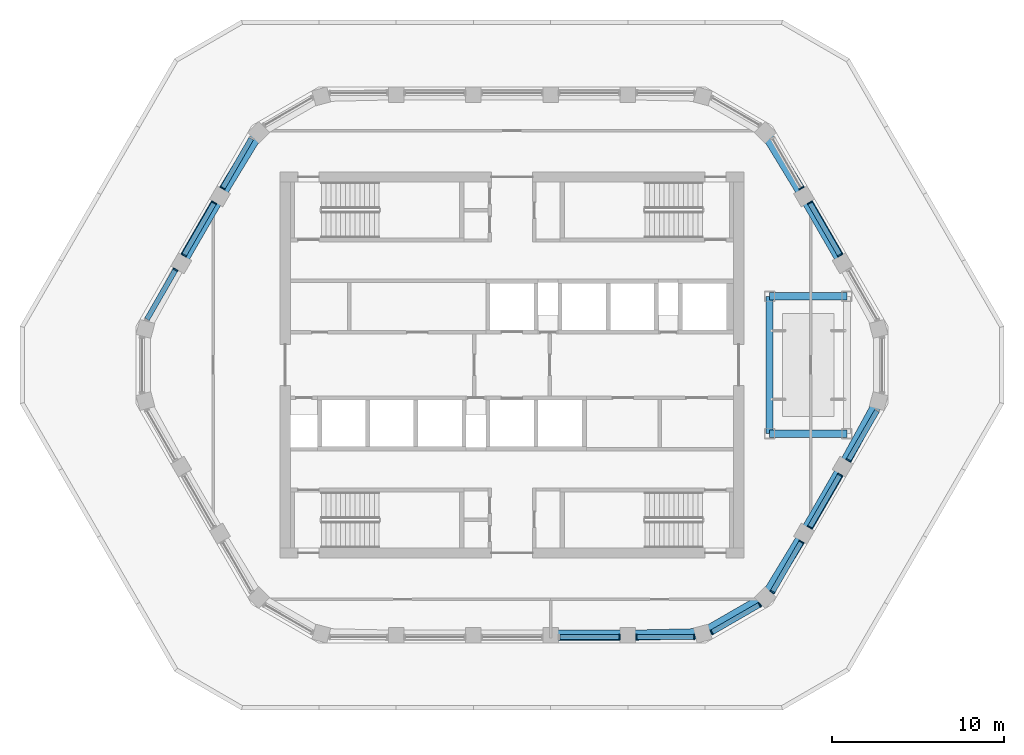
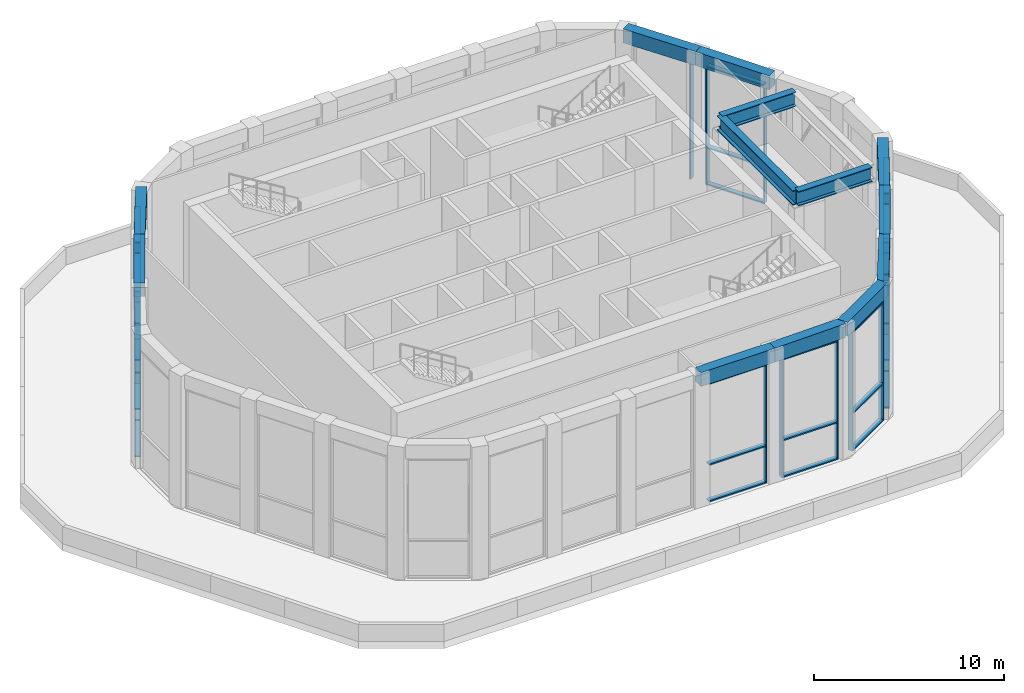
# One storey, part 2 of 11: 47 members, 13 beams, 11 elements without a shape of their own.
"""IFC4 building model written with IfcOpenShell, lengths in metres."""

import ifcopenshell
import ifcopenshell.guid

model = None  # the IFC model being written
_history = None  # IfcOwnerHistory: only IFC2X3 demands one
_inside = {}  # id of a spatial element -> (the spatial element, [elements in it])
_under = {}  # id of a project, library or spatial element -> (it, [spatial elements below it])
_declared = {}  # id of a project -> (the project, [libraries it declares])
_typed = {}  # id of a type object -> (the type object, [elements of that type])
_made_of = {}  # id of a material, layer set ... -> (it, [elements and type objects made of it])


def new_model(schema):
    """Start an empty IFC model of exactly this schema.

    Asked for "IFC4X3", IfcOpenShell would pick the latest addendum, in which some entities
    have other attributes; the version numbers below select the first issue.
    IFC2X3 requires an IfcOwnerHistory on every rooted entity: one is made here for all.
    """
    global model, _history
    if schema == "IFC4X3":
        model = ifcopenshell.file(schema_version=(4, 3, 0, 0))
    else:
        model = ifcopenshell.file(schema=schema)
    _inside.clear()
    _under.clear()
    _declared.clear()
    _typed.clear()
    _made_of.clear()
    _history = None
    if model.schema == "IFC2X3":
        org = make("IfcOrganization", Name="unknown")
        user = make(
            "IfcPersonAndOrganization",
            ThePerson=make("IfcPerson", FamilyName="unknown"),
            TheOrganization=org,
        )
        app = make(
            "IfcApplication",
            ApplicationDeveloper=org,
            Version="unknown",
            ApplicationFullName="unknown",
            ApplicationIdentifier="unknown",
        )
        _history = make(
            "IfcOwnerHistory",
            OwningUser=user,
            OwningApplication=app,
            ChangeAction="ADDED",
            CreationDate=0,
        )
    return model


def make(cls, **values):
    """One entity of the class cls with the attributes given. An attribute that is None is left unset."""
    return model.create_entity(
        cls, **{name: value for name, value in values.items() if value is not None}
    )


def rooted(cls, **values):
    """An entity with a GlobalId (a new one), such as an element, a storey or a relation."""
    return make(cls, GlobalId=ifcopenshell.guid.new(), OwnerHistory=_history, **values)


def si_unit(unit_type, name, prefix=None):
    """IfcSIUnit, for example si_unit("LENGTHUNIT", "METRE", prefix="MILLI")."""
    return make("IfcSIUnit", UnitType=unit_type, Prefix=prefix, Name=name)


def assignment(units):
    """IfcUnitAssignment: the units of a project."""
    return None if units is None else make("IfcUnitAssignment", Units=units)


def point(xyz):
    """IfcCartesianPoint."""
    return None if xyz is None else make("IfcCartesianPoint", Coordinates=xyz)


def direction(xyz):
    """IfcDirection."""
    return None if xyz is None else make("IfcDirection", DirectionRatios=xyz)


def frame(location, z_axis=None, x_axis=None):
    """IfcAxis2Placement3D, a coordinate frame: its origin and axes. An axis left out is left unset."""
    return make(
        "IfcAxis2Placement3D",
        Location=point(location),
        Axis=direction(z_axis),
        RefDirection=direction(x_axis),
    )


def frame_2d(location, x_axis=None):
    """IfcAxis2Placement2D, a coordinate frame in the plane: its origin and x axis."""
    return make(
        "IfcAxis2Placement2D", Location=point(location), RefDirection=direction(x_axis)
    )


def origin():
    """The frame at (0, 0, 0) with its axes left unset."""
    return frame((0.0, 0.0, 0.0))


def origin_2d():
    """The frame at (0, 0) in the plane with its x axis left unset."""
    return frame_2d((0.0, 0.0))


def place(relative_to, where):
    """IfcLocalPlacement: puts the frame where relative to a parent placement (None: the world)."""
    return make(
        "IfcLocalPlacement", PlacementRelTo=relative_to, RelativePlacement=where
    )


def context(
    kind, dimensions, precision=None, world=None, true_north=None, identifier=None
):
    """IfcGeometricRepresentationContext, for example the 3D "Model" context."""
    return make(
        "IfcGeometricRepresentationContext",
        ContextIdentifier=identifier,
        ContextType=kind,
        CoordinateSpaceDimension=dimensions,
        Precision=precision,
        WorldCoordinateSystem=world,
        TrueNorth=true_north,
    )


def subcontext(parent, identifier, kind, view, scale=None):
    """IfcGeometricRepresentationSubContext, for example "Body" below "Model"."""
    return make(
        "IfcGeometricRepresentationSubContext",
        ContextIdentifier=identifier,
        ContextType=kind,
        ParentContext=parent,
        TargetScale=scale,
        TargetView=view,
    )


def project(units=None, contexts=None):
    """IfcProject with its units and contexts."""
    return rooted(
        "IfcProject",
        Name="project",
        RepresentationContexts=contexts,
        UnitsInContext=assignment(units),
    )


def spatial(cls, under=None, at=None, **own):
    """A site, building, storey or space (cls), placed at a placement, below another one or the project."""
    s = rooted(cls, ObjectPlacement=at, **own)
    if under is not None:
        _under.setdefault(under.id(), (under, []))[1].append(s)
    return s


def profile(cls, at=None, kind="AREA", **sizes):
    """A parametric profile (cls). Its sizes go by their IFC names, for example OverallWidth=200.0."""
    return make(cls, ProfileType=kind, Position=at, **sizes)


def rectangle(**sizes):
    """IfcRectangleProfileDef."""
    return profile("IfcRectangleProfileDef", **sizes)


def i_section(**sizes):
    """IfcIShapeProfileDef."""
    return profile("IfcIShapeProfileDef", **sizes)


def extrude(swept, where, along, depth):
    """IfcExtrudedAreaSolid: the profile swept, set in the frame where, extruded along a direction by depth."""
    return make(
        "IfcExtrudedAreaSolid",
        SweptArea=swept,
        Position=where,
        ExtrudedDirection=direction(along),
        Depth=depth,
    )


def shape(context_of_items, identifier, shape_type, items):
    """IfcShapeRepresentation: the items that make up one representation, for example the "Body"."""
    return make(
        "IfcShapeRepresentation",
        ContextOfItems=context_of_items,
        RepresentationIdentifier=identifier,
        RepresentationType=shape_type,
        Items=items,
    )


def material(Name=None, Category=None):
    """IfcMaterial."""
    return make("IfcMaterial", Name=Name, Category=Category)


def layer(
    of_material, thickness, ventilated=None, Name=None, Category=None, Priority=None
):
    """IfcMaterialLayer: one layer of a wall or slab, of a material (None: an air gap)."""
    return make(
        "IfcMaterialLayer",
        Material=of_material,
        LayerThickness=thickness,
        IsVentilated=ventilated,
        Name=Name,
        Category=Category,
        Priority=Priority,
    )


def layer_set(layers, Name=None):
    """IfcMaterialLayerSet."""
    return make("IfcMaterialLayerSet", MaterialLayers=layers, LayerSetName=Name)


def material_profile(
    of_material, cross_section, Name=None, Category=None, Priority=None
):
    """IfcMaterialProfile: a cross section and its material."""
    return make(
        "IfcMaterialProfile",
        Name=Name,
        Material=of_material,
        Profile=cross_section,
        Priority=Priority,
        Category=Category,
    )


def profile_set(profiles, Name=None, composite=None):
    """IfcMaterialProfileSet."""
    return make(
        "IfcMaterialProfileSet",
        Name=Name,
        MaterialProfiles=profiles,
        CompositeProfile=composite,
    )


def made_of(thing, what):
    """Note that an element or type object is made of a material, layer set ...; save() writes the relation."""
    if what is not None:
        _made_of.setdefault(what.id(), (what, []))[1].append(thing)
    return thing


def type_object(cls, material=None, **own):
    """A type object (cls), such as IfcWallType, which elements share."""
    return made_of(rooted(cls, **own), material)


def element(
    cls,
    number,
    at=None,
    inside=None,
    cuts=None,
    type_object=None,
    material=None,
    context=None,
    identifier="Body",
    shape_type=None,
    held_by="IfcProductDefinitionShape",
    body=None,
    shapes=None,
    **own,
):
    """One element of the class cls, such as IfcWall. Its Tag is "e" and its number.

    at: its placement. inside: the storey or other place that contains it. cuts: it is an
    opening in that element (IfcRelVoidsElement). A single representation is given by context,
    identifier, shape_type and body (its items); several are given by shapes. held_by: the class
    of the entity that holds the representations. save() writes the other relations.
    """
    e = rooted(cls, Tag="e%d" % number, ObjectPlacement=at, **own)
    if body is not None:
        shapes = [shape(context, identifier, shape_type, body)]
    if shapes is not None:
        e.Representation = make(held_by, Representations=shapes)
    if inside is not None:
        _inside.setdefault(inside.id(), (inside, []))[1].append(e)
    if cuts is not None:
        rooted(
            "IfcRelVoidsElement", RelatingBuildingElement=cuts, RelatedOpeningElement=e
        )
    if type_object is not None:
        _typed.setdefault(type_object.id(), (type_object, []))[1].append(e)
    return made_of(e, material)


def aggregate(whole, parts):
    """IfcRelAggregates: a whole, such as a stair, and the parts it consists of."""
    return rooted("IfcRelAggregates", RelatingObject=whole, RelatedObjects=parts)


def save(model, path):
    """Write the relations noted so far, then the file.

    IfcRelAggregates (storeys below a building ...), IfcRelContainedInSpatialStructure (elements
    in a storey), IfcRelDefinesByType, IfcRelAssociatesMaterial and IfcRelDeclares: one each for
    every whole, place, type object, material and project.
    """
    for whole, parts in _under.values():
        aggregate(whole, parts)
    for where, things in _inside.values():
        rooted(
            "IfcRelContainedInSpatialStructure",
            RelatedElements=things,
            RelatingStructure=where,
        )
    for kind, things in _typed.values():
        rooted("IfcRelDefinesByType", RelatedObjects=things, RelatingType=kind)
    for what, things in _made_of.values():
        rooted("IfcRelAssociatesMaterial", RelatedObjects=things, RelatingMaterial=what)
    for by, libraries in _declared.values():
        rooted("IfcRelDeclares", RelatingContext=by, RelatedDefinitions=libraries)
    model.write(path)


model = new_model("IFC4")

# Units and contexts
model_context = context("Model", 3, precision=1e-05, world=origin(), true_north=direction((0.0, 1.0)))
body_context = subcontext(model_context, "Body", "Model", "MODEL_VIEW")
ifc_project = project(units=[si_unit("LENGTHUNIT", "METRE"), si_unit("AREAUNIT", "SQUARE_METRE"), si_unit("VOLUMEUNIT", "CUBIC_METRE"), si_unit("PLANEANGLEUNIT", "RADIAN"), si_unit("MASSUNIT", "GRAM", prefix="KILO")], contexts=[model_context])

# Site, building, storey
site_placement = place(None, origin())
site = spatial("IfcSite", under=ifc_project, at=site_placement, CompositionType="ELEMENT")
building_placement = place(site_placement, origin())
building = spatial("IfcBuilding", under=site, at=building_placement, Name="Dhurran Vertical Campus", CompositionType="ELEMENT")
storey_placement = place(building_placement, frame((0.0, 0.0, 309.89990234375)))
storey = spatial("IfcBuildingStorey", under=building, at=storey_placement, Name="L77 Damper Plant", CompositionType="ELEMENT", Elevation=309.89990234375)

# Curtain wall, member
ifc_material_1 = material(Name="Aluminium frame with solar-control glass", Category="aluminium")
ifc_layer = layer(ifc_material_1, 0.300048828125)
ifc_layer_set = layer_set([ifc_layer], Name="Aluminium frame with solar-control glass")
curtain_wall_type = type_object("IfcCurtainWallType", Name="Damper floor glazing system", PredefinedType="NOTDEFINED", material=ifc_layer_set)
curtain_wall_1_placement = place(storey_placement, origin())
curtain_wall_1 = element("IfcCurtainWall", 1, at=curtain_wall_1_placement, inside=storey, type_object=curtain_wall_type, Name="CW4 L77.03", PredefinedType="NOTDEFINED")
ifc_material_2 = material(Name="Aluminium mullion", Category="aluminium")
ifc_material_profile_1 = material_profile(ifc_material_2, rectangle(XDim=0.300048828125, YDim=0.080078125, at=origin_2d()), Name="Damper floor glazing system mullion")
ifc_profile_set_1 = profile_set([ifc_material_profile_1], Name="Aluminium mullion")
member_type_1 = type_object("IfcMemberType", Name="Damper floor glazing system mullion", PredefinedType="MULLION", material=ifc_profile_set_1)
member_1_placement = place(storey_placement, frame((6.259521484375, -15.84130859375, 0.0), z_axis=(0.0, 0.0, 1.0), x_axis=(0.0, 1.0, 0.0)))
member_1 = element("IfcMember", 2, at=member_1_placement, type_object=member_type_1, Name="CW4 mullion 2", PredefinedType="MULLION", context=body_context, shape_type="SweptSolid", body=[
    extrude(rectangle(XDim=0.300048828125, YDim=0.080078125, at=origin_2d()), origin(), (0.0, 0.0, 1.0), 7.650146484375),
])

# Curtain wall, members
curtain_wall_2_placement = place(storey_placement, origin())
curtain_wall_2 = element("IfcCurtainWall", 3, at=curtain_wall_2_placement, inside=storey, type_object=curtain_wall_type, Name="CW4 L77.04", PredefinedType="NOTDEFINED")
member_2_placement = place(storey_placement, frame((7.240478515625, -15.84130859375, 0.0), z_axis=(0.0, 0.0, 1.0), x_axis=(0.0, 1.0, 0.0)))
member_2 = element("IfcMember", 4, at=member_2_placement, type_object=member_type_1, Name="CW4 mullion 1", PredefinedType="MULLION", context=body_context, shape_type="SweptSolid", body=[
    extrude(rectangle(XDim=0.300048828125, YDim=0.080078125, at=origin_2d()), origin(), (0.0, 0.0, 1.0), 7.650146484375),
])
member_3_placement = place(storey_placement, frame((10.60986328125, -15.84130859375, 0.0), z_axis=(0.0, 0.0, 1.0), x_axis=(0.0, 1.0, 0.0)))
member_3 = element("IfcMember", 5, at=member_3_placement, type_object=member_type_1, Name="CW4 mullion 2", PredefinedType="MULLION", context=body_context, shape_type="SweptSolid", body=[
    extrude(rectangle(XDim=0.300048828125, YDim=0.080078125, at=origin_2d()), origin(), (0.0, 0.0, 1.0), 7.650146484375),
])

curtain_wall_3_placement = place(storey_placement, origin())
curtain_wall_3 = element("IfcCurtainWall", 6, at=curtain_wall_3_placement, inside=storey, type_object=curtain_wall_type, Name="CW4 L77.05", PredefinedType="NOTDEFINED")
member_4_placement = place(storey_placement, frame((11.62939453125, -15.568115234375, 0.0), z_axis=(0.0, 0.0, 1.0), x_axis=(-0.500001394569, 0.866024598628, 0.0)))
member_4 = element("IfcMember", 7, at=member_4_placement, type_object=member_type_1, Name="CW4 mullion 1", PredefinedType="MULLION", context=body_context, shape_type="SweptSolid", body=[
    extrude(rectangle(XDim=0.300048828125, YDim=0.080078125, at=origin_2d()), origin(), (0.0, 0.0, 1.0), 7.650146484375),
])
member_5_placement = place(storey_placement, frame((14.417724609375, -13.958251953125, 0.0), z_axis=(0.0, 0.0, 1.0), x_axis=(-0.500001394569, 0.866024598628, 0.0)))
member_5 = element("IfcMember", 8, at=member_5_placement, type_object=member_type_1, Name="CW4 mullion 2", PredefinedType="MULLION", context=body_context, shape_type="SweptSolid", body=[
    extrude(rectangle(XDim=0.300048828125, YDim=0.080078125, at=origin_2d()), origin(), (0.0, 0.0, 1.0), 7.650146484375),
])

curtain_wall_4_placement = place(storey_placement, origin())
curtain_wall_4 = element("IfcCurtainWall", 9, at=curtain_wall_4_placement, inside=storey, type_object=curtain_wall_type, Name="CW4 L77.06", PredefinedType="NOTDEFINED")
member_6_placement = place(storey_placement, frame((15.1640625, -13.2119140625, 0.0), z_axis=(0.0, 0.0, 1.0), x_axis=(-0.866020473248, 0.500008539842, 0.0)))
member_6 = element("IfcMember", 10, at=member_6_placement, type_object=member_type_1, Name="CW4 mullion 1", PredefinedType="MULLION", context=body_context, shape_type="SweptSolid", body=[
    extrude(rectangle(XDim=0.300048828125, YDim=0.080078125, at=origin_2d()), origin(), (0.0, 0.0, 1.0), 7.650146484375),
])
member_7_placement = place(storey_placement, frame((16.848876953125, -10.2939453125, 0.0), z_axis=(0.0, 0.0, 1.0), x_axis=(-0.866020473248, 0.500008539842, 0.0)))
member_7 = element("IfcMember", 11, at=member_7_placement, type_object=member_type_1, Name="CW4 mullion 2", PredefinedType="MULLION", context=body_context, shape_type="SweptSolid", body=[
    extrude(rectangle(XDim=0.300048828125, YDim=0.080078125, at=origin_2d()), origin(), (0.0, 0.0, 1.0), 7.650146484375),
])

curtain_wall_5_placement = place(storey_placement, origin())
curtain_wall_5 = element("IfcCurtainWall", 12, at=curtain_wall_5_placement, inside=storey, type_object=curtain_wall_type, Name="CW4 L77.07", PredefinedType="NOTDEFINED")
member_8_placement = place(storey_placement, frame((17.33935546875, -9.444580078125, 0.0), z_axis=(0.0, 0.0, 1.0), x_axis=(-0.866023637427, 0.500003059408, 0.0)))
member_8 = element("IfcMember", 13, at=member_8_placement, type_object=member_type_1, Name="CW4 mullion 1", PredefinedType="MULLION", context=body_context, shape_type="SweptSolid", body=[
    extrude(rectangle(XDim=0.300048828125, YDim=0.080078125, at=origin_2d()), origin(), (0.0, 0.0, 1.0), 7.650146484375),
])
member_9_placement = place(storey_placement, frame((19.098876953125, -6.39697265625, 0.0), z_axis=(0.0, 0.0, 1.0), x_axis=(-0.866023637427, 0.500003059408, 0.0)))
member_9 = element("IfcMember", 14, at=member_9_placement, type_object=member_type_1, Name="CW4 mullion 2", PredefinedType="MULLION", context=body_context, shape_type="SweptSolid", body=[
    extrude(rectangle(XDim=0.300048828125, YDim=0.080078125, at=origin_2d()), origin(), (0.0, 0.0, 1.0), 7.650146484375),
])

# Curtain wall, member
curtain_wall_6_placement = place(storey_placement, origin())
curtain_wall_6 = element("IfcCurtainWall", 15, at=curtain_wall_6_placement, inside=storey, type_object=curtain_wall_type, Name="CW4 L77.08", PredefinedType="NOTDEFINED")
member_10_placement = place(storey_placement, frame((19.58935546875, -5.54736328125, 0.0), z_axis=(0.0, 0.0, 1.0), x_axis=(-0.866027720988, 0.499995986465, 0.0)))
member_10 = element("IfcMember", 16, at=member_10_placement, type_object=member_type_1, Name="CW4 mullion 1", PredefinedType="MULLION", context=body_context, shape_type="SweptSolid", body=[
    extrude(rectangle(XDim=0.300048828125, YDim=0.080078125, at=origin_2d()), origin(), (0.0, 0.0, 1.0), 7.650146484375),
])

# Curtain wall, members
curtain_wall_7_placement = place(storey_placement, origin())
curtain_wall_7 = element("IfcCurtainWall", 17, at=curtain_wall_7_placement, inside=storey, type_object=curtain_wall_type, Name="CW4 L77.11", PredefinedType="NOTDEFINED")
member_11_placement = place(storey_placement, frame((19.098876953125, 6.39697265625, 0.0), z_axis=(0.0, 0.0, 1.0), x_axis=(-0.866023637427, -0.500003059408, 0.0)))
member_11 = element("IfcMember", 18, at=member_11_placement, type_object=member_type_1, Name="CW4 mullion 1", PredefinedType="MULLION", context=body_context, shape_type="SweptSolid", body=[
    extrude(rectangle(XDim=0.300048828125, YDim=0.080078125, at=origin_2d()), origin(), (0.0, 0.0, 1.0), 7.650146484375),
])
member_12_placement = place(storey_placement, frame((17.33935546875, 9.444580078125, 0.0), z_axis=(0.0, 0.0, 1.0), x_axis=(-0.866023637427, -0.500003059408, 0.0)))
member_12 = element("IfcMember", 19, at=member_12_placement, type_object=member_type_1, Name="CW4 mullion 2", PredefinedType="MULLION", context=body_context, shape_type="SweptSolid", body=[
    extrude(rectangle(XDim=0.300048828125, YDim=0.080078125, at=origin_2d()), origin(), (0.0, 0.0, 1.0), 7.650146484375),
])

# Curtain wall, member
curtain_wall_8_placement = place(storey_placement, origin())
curtain_wall_8 = element("IfcCurtainWall", 20, at=curtain_wall_8_placement, inside=storey, type_object=curtain_wall_type, Name="CW4 L77.12", PredefinedType="NOTDEFINED")
member_13_placement = place(storey_placement, frame((16.848876953125, 10.2939453125, 0.0), z_axis=(0.0, 0.0, 1.0), x_axis=(-0.866020473248, -0.500008539842, 0.0)))
member_13 = element("IfcMember", 21, at=member_13_placement, type_object=member_type_1, Name="CW4 mullion 1", PredefinedType="MULLION", context=body_context, shape_type="SweptSolid", body=[
    extrude(rectangle(XDim=0.300048828125, YDim=0.080078125, at=origin_2d()), origin(), (0.0, 0.0, 1.0), 7.650146484375),
])
aggregate(curtain_wall_8, [member_13])

curtain_wall_9_placement = place(storey_placement, origin())
curtain_wall_9 = element("IfcCurtainWall", 22, at=curtain_wall_9_placement, inside=storey, type_object=curtain_wall_type, Name="CW4 L77.20", PredefinedType="NOTDEFINED")
member_14_placement = place(storey_placement, frame((-16.848876953125, 10.2939453125, 0.0), z_axis=(0.0, 0.0, 1.0), x_axis=(0.866020473248, -0.500008539842, 0.0)))
member_14 = element("IfcMember", 23, at=member_14_placement, type_object=member_type_1, Name="CW4 mullion 2", PredefinedType="MULLION", context=body_context, shape_type="SweptSolid", body=[
    extrude(rectangle(XDim=0.300048828125, YDim=0.080078125, at=origin_2d()), origin(), (0.0, 0.0, 1.0), 7.650146484375),
])

# Curtain wall, members
curtain_wall_10_placement = place(storey_placement, origin())
curtain_wall_10 = element("IfcCurtainWall", 24, at=curtain_wall_10_placement, inside=storey, type_object=curtain_wall_type, Name="CW4 L77.21", PredefinedType="NOTDEFINED")
member_15_placement = place(storey_placement, frame((-17.33935546875, 9.444580078125, 0.0), z_axis=(0.0, 0.0, 1.0), x_axis=(0.866023637427, -0.500003059408, 0.0)))
member_15 = element("IfcMember", 25, at=member_15_placement, type_object=member_type_1, Name="CW4 mullion 1", PredefinedType="MULLION", context=body_context, shape_type="SweptSolid", body=[
    extrude(rectangle(XDim=0.300048828125, YDim=0.080078125, at=origin_2d()), origin(), (0.0, 0.0, 1.0), 7.650146484375),
])
member_16_placement = place(storey_placement, frame((-19.098876953125, 6.39697265625, 0.0), z_axis=(0.0, 0.0, 1.0), x_axis=(0.866023637427, -0.500003059408, 0.0)))
member_16 = element("IfcMember", 26, at=member_16_placement, type_object=member_type_1, Name="CW4 mullion 2", PredefinedType="MULLION", context=body_context, shape_type="SweptSolid", body=[
    extrude(rectangle(XDim=0.300048828125, YDim=0.080078125, at=origin_2d()), origin(), (0.0, 0.0, 1.0), 7.650146484375),
])

# Curtain wall, member
curtain_wall_11_placement = place(storey_placement, origin())
curtain_wall_11 = element("IfcCurtainWall", 27, at=curtain_wall_11_placement, inside=storey, type_object=curtain_wall_type, Name="CW4 L77.22", PredefinedType="NOTDEFINED")
member_17_placement = place(storey_placement, frame((-19.58935546875, 5.54736328125, 0.0), z_axis=(0.0, 0.0, 1.0), x_axis=(0.866027720988, -0.499995986465, 0.0)))
member_17 = element("IfcMember", 28, at=member_17_placement, type_object=member_type_1, Name="CW4 mullion 1", PredefinedType="MULLION", context=body_context, shape_type="SweptSolid", body=[
    extrude(rectangle(XDim=0.300048828125, YDim=0.080078125, at=origin_2d()), origin(), (0.0, 0.0, 1.0), 7.650146484375),
])

# Member
ifc_material_3 = material(Name="Aluminium transom", Category="aluminium")
ifc_material_profile_2 = material_profile(ifc_material_3, rectangle(XDim=0.300048828125, YDim=0.080078125, at=origin_2d()), Name="Damper floor glazing system transom")
ifc_profile_set_2 = profile_set([ifc_material_profile_2], Name="Aluminium transom")
member_type_2 = type_object("IfcMemberType", Name="Damper floor glazing system transom", PredefinedType="USERDEFINED", material=ifc_profile_set_2)
member_18_placement = place(storey_placement, frame((2.780517578125, -15.84130859375, 0.0400390625), z_axis=(1.0, 0.0, 0.0), x_axis=(0.0, 1.0, 0.0)))
member_18 = element("IfcMember", 29, at=member_18_placement, type_object=member_type_2, Name="CW4 transom 1.1", ObjectType="TRANSOM", PredefinedType="USERDEFINED", context=body_context, shape_type="SweptSolid", body=[
    extrude(rectangle(XDim=0.300048828125, YDim=0.080078125, at=origin_2d()), origin(), (0.0, 0.0, 1.0), 3.43896484375),
])

member_19_placement = place(storey_placement, frame((2.780517578125, -15.84130859375, 2.400146484375), z_axis=(1.0, 0.0, 0.0), x_axis=(0.0, 1.0, 0.0)))
member_19 = element("IfcMember", 30, at=member_19_placement, type_object=member_type_2, Name="CW4 transom 1.2", ObjectType="TRANSOM", PredefinedType="USERDEFINED", context=body_context, shape_type="SweptSolid", body=[
    extrude(rectangle(XDim=0.300048828125, YDim=0.080078125, at=origin_2d()), origin(), (0.0, 0.0, 1.0), 3.43896484375),
])

member_20_placement = place(storey_placement, frame((2.780517578125, -15.84130859375, 7.610107421875), z_axis=(1.0, 0.0, 0.0), x_axis=(0.0, 1.0, 0.0)))
member_20 = element("IfcMember", 31, at=member_20_placement, type_object=member_type_2, Name="CW4 transom 1.3", ObjectType="TRANSOM", PredefinedType="USERDEFINED", context=body_context, shape_type="SweptSolid", body=[
    extrude(rectangle(XDim=0.300048828125, YDim=0.080078125, at=origin_2d()), origin(), (0.0, 0.0, 1.0), 3.43896484375),
])

aggregate(curtain_wall_1, [member_1, member_18, member_19, member_20])

member_21_placement = place(storey_placement, frame((7.280517578125, -15.84130859375, 0.0400390625), z_axis=(1.0, 0.0, 0.0), x_axis=(0.0, 1.0, 0.0)))
member_21 = element("IfcMember", 32, at=member_21_placement, type_object=member_type_2, Name="CW4 transom 1.1", ObjectType="TRANSOM", PredefinedType="USERDEFINED", context=body_context, shape_type="SweptSolid", body=[
    extrude(rectangle(XDim=0.300048828125, YDim=0.080078125, at=origin_2d()), origin(), (0.0, 0.0, 1.0), 3.289306640625),
])

member_22_placement = place(storey_placement, frame((7.280517578125, -15.84130859375, 2.400146484375), z_axis=(1.0, 0.0, 0.0), x_axis=(0.0, 1.0, 0.0)))
member_22 = element("IfcMember", 33, at=member_22_placement, type_object=member_type_2, Name="CW4 transom 1.2", ObjectType="TRANSOM", PredefinedType="USERDEFINED", context=body_context, shape_type="SweptSolid", body=[
    extrude(rectangle(XDim=0.300048828125, YDim=0.080078125, at=origin_2d()), origin(), (0.0, 0.0, 1.0), 3.289306640625),
])

member_23_placement = place(storey_placement, frame((7.280517578125, -15.84130859375, 7.610107421875), z_axis=(1.0, 0.0, 0.0), x_axis=(0.0, 1.0, 0.0)))
member_23 = element("IfcMember", 34, at=member_23_placement, type_object=member_type_2, Name="CW4 transom 1.3", ObjectType="TRANSOM", PredefinedType="USERDEFINED", context=body_context, shape_type="SweptSolid", body=[
    extrude(rectangle(XDim=0.300048828125, YDim=0.080078125, at=origin_2d()), origin(), (0.0, 0.0, 1.0), 3.289306640625),
])

aggregate(curtain_wall_2, [member_2, member_3, member_21, member_22, member_23])

member_24_placement = place(storey_placement, frame((11.6640625, -15.548095703125, 0.0400390625), z_axis=(0.866023718453, 0.500002919068, 0.0), x_axis=(-0.500002919068, 0.866023718453, 0.0)))
member_24 = element("IfcMember", 35, at=member_24_placement, type_object=member_type_2, Name="CW4 transom 1.1", ObjectType="TRANSOM", PredefinedType="USERDEFINED", context=body_context, shape_type="SweptSolid", body=[
    extrude(rectangle(XDim=0.300048828125, YDim=0.080078125, at=origin_2d()), origin(), (0.0, 0.0, 1.0), 3.1396484375),
])

member_25_placement = place(storey_placement, frame((11.6640625, -15.548095703125, 2.400146484375), z_axis=(0.866023718453, 0.500002919068, 0.0), x_axis=(-0.500002919068, 0.866023718453, 0.0)))
member_25 = element("IfcMember", 36, at=member_25_placement, type_object=member_type_2, Name="CW4 transom 1.2", ObjectType="TRANSOM", PredefinedType="USERDEFINED", context=body_context, shape_type="SweptSolid", body=[
    extrude(rectangle(XDim=0.300048828125, YDim=0.080078125, at=origin_2d()), origin(), (0.0, 0.0, 1.0), 3.1396484375),
])

member_26_placement = place(storey_placement, frame((11.6640625, -15.548095703125, 7.610107421875), z_axis=(0.866023718453, 0.500002919068, 0.0), x_axis=(-0.500002919068, 0.866023718453, 0.0)))
member_26 = element("IfcMember", 37, at=member_26_placement, type_object=member_type_2, Name="CW4 transom 1.3", ObjectType="TRANSOM", PredefinedType="USERDEFINED", context=body_context, shape_type="SweptSolid", body=[
    extrude(rectangle(XDim=0.300048828125, YDim=0.080078125, at=origin_2d()), origin(), (0.0, 0.0, 1.0), 3.1396484375),
])

aggregate(curtain_wall_3, [member_4, member_5, member_24, member_25, member_26])

member_27_placement = place(storey_placement, frame((15.18408203125, -13.17724609375, 0.0400390625), z_axis=(0.5000265556, 0.866010071359, 0.0), x_axis=(-0.866010071359, 0.5000265556, 0.0)))
member_27 = element("IfcMember", 38, at=member_27_placement, type_object=member_type_2, Name="CW4 transom 1.1", ObjectType="TRANSOM", PredefinedType="USERDEFINED", context=body_context, shape_type="SweptSolid", body=[
    extrude(rectangle(XDim=0.300048828125, YDim=0.080078125, at=origin_2d()), origin(), (0.0, 0.0, 1.0), 3.289306640625),
])

member_28_placement = place(storey_placement, frame((15.18408203125, -13.17724609375, 2.400146484375), z_axis=(0.5000265556, 0.866010071359, 0.0), x_axis=(-0.866010071359, 0.5000265556, 0.0)))
member_28 = element("IfcMember", 39, at=member_28_placement, type_object=member_type_2, Name="CW4 transom 1.2", ObjectType="TRANSOM", PredefinedType="USERDEFINED", context=body_context, shape_type="SweptSolid", body=[
    extrude(rectangle(XDim=0.300048828125, YDim=0.080078125, at=origin_2d()), origin(), (0.0, 0.0, 1.0), 3.289306640625),
])

member_29_placement = place(storey_placement, frame((15.18408203125, -13.17724609375, 7.610107421875), z_axis=(0.5000265556, 0.866010071359, 0.0), x_axis=(-0.866010071359, 0.5000265556, 0.0)))
member_29 = element("IfcMember", 40, at=member_29_placement, type_object=member_type_2, Name="CW4 transom 1.3", ObjectType="TRANSOM", PredefinedType="USERDEFINED", context=body_context, shape_type="SweptSolid", body=[
    extrude(rectangle(XDim=0.300048828125, YDim=0.080078125, at=origin_2d()), origin(), (0.0, 0.0, 1.0), 3.289306640625),
])

aggregate(curtain_wall_4, [member_6, member_7, member_27, member_28, member_29])

member_30_placement = place(storey_placement, frame((17.359375, -9.409912109375, 0.0400390625), z_axis=(0.499994892108, 0.866028352807, 0.0), x_axis=(-0.866028352807, 0.499994892108, 0.0)))
member_30 = element("IfcMember", 41, at=member_30_placement, type_object=member_type_2, Name="CW4 transom 1.1", ObjectType="TRANSOM", PredefinedType="USERDEFINED", context=body_context, shape_type="SweptSolid", body=[
    extrude(rectangle(XDim=0.300048828125, YDim=0.080078125, at=origin_2d()), origin(), (0.0, 0.0, 1.0), 3.43896484375),
])

member_31_placement = place(storey_placement, frame((17.359375, -9.409912109375, 2.400146484375), z_axis=(0.499994892108, 0.866028352807, 0.0), x_axis=(-0.866028352807, 0.499994892108, 0.0)))
member_31 = element("IfcMember", 42, at=member_31_placement, type_object=member_type_2, Name="CW4 transom 1.2", ObjectType="TRANSOM", PredefinedType="USERDEFINED", context=body_context, shape_type="SweptSolid", body=[
    extrude(rectangle(XDim=0.300048828125, YDim=0.080078125, at=origin_2d()), origin(), (0.0, 0.0, 1.0), 3.43896484375),
])

member_32_placement = place(storey_placement, frame((17.359375, -9.409912109375, 7.610107421875), z_axis=(0.499994892108, 0.866028352807, 0.0), x_axis=(-0.866028352807, 0.499994892108, 0.0)))
member_32 = element("IfcMember", 43, at=member_32_placement, type_object=member_type_2, Name="CW4 transom 1.3", ObjectType="TRANSOM", PredefinedType="USERDEFINED", context=body_context, shape_type="SweptSolid", body=[
    extrude(rectangle(XDim=0.300048828125, YDim=0.080078125, at=origin_2d()), origin(), (0.0, 0.0, 1.0), 3.43896484375),
])

aggregate(curtain_wall_5, [member_8, member_9, member_30, member_31, member_32])

member_33_placement = place(storey_placement, frame((19.609375, -5.5126953125, 0.0400390625), z_axis=(0.499970888758, 0.866042210515, 0.0), x_axis=(-0.866042210515, 0.499970888758, 0.0)))
member_33 = element("IfcMember", 44, at=member_33_placement, type_object=member_type_2, Name="CW4 transom 1.1", ObjectType="TRANSOM", PredefinedType="USERDEFINED", context=body_context, shape_type="SweptSolid", body=[
    extrude(rectangle(XDim=0.300048828125, YDim=0.080078125, at=origin_2d()), origin(), (0.0, 0.0, 1.0), 3.289306640625),
])

member_34_placement = place(storey_placement, frame((19.609375, -5.5126953125, 2.400146484375), z_axis=(0.499970888758, 0.866042210515, 0.0), x_axis=(-0.866042210515, 0.499970888758, 0.0)))
member_34 = element("IfcMember", 45, at=member_34_placement, type_object=member_type_2, Name="CW4 transom 1.2", ObjectType="TRANSOM", PredefinedType="USERDEFINED", context=body_context, shape_type="SweptSolid", body=[
    extrude(rectangle(XDim=0.300048828125, YDim=0.080078125, at=origin_2d()), origin(), (0.0, 0.0, 1.0), 3.289306640625),
])

member_35_placement = place(storey_placement, frame((19.609375, -5.5126953125, 7.610107421875), z_axis=(0.499970888758, 0.866042210515, 0.0), x_axis=(-0.866042210515, 0.499970888758, 0.0)))
member_35 = element("IfcMember", 46, at=member_35_placement, type_object=member_type_2, Name="CW4 transom 1.3", ObjectType="TRANSOM", PredefinedType="USERDEFINED", context=body_context, shape_type="SweptSolid", body=[
    extrude(rectangle(XDim=0.300048828125, YDim=0.080078125, at=origin_2d()), origin(), (0.0, 0.0, 1.0), 3.289306640625),
])

aggregate(curtain_wall_6, [member_10, member_33, member_34, member_35])

member_36_placement = place(storey_placement, frame((19.078857421875, 6.431640625, 0.0400390625), z_axis=(-0.499994892108, 0.866028352807, 0.0), x_axis=(-0.866028352807, -0.499994892108, 0.0)))
member_36 = element("IfcMember", 47, at=member_36_placement, type_object=member_type_2, Name="CW4 transom 1.1", ObjectType="TRANSOM", PredefinedType="USERDEFINED", context=body_context, shape_type="SweptSolid", body=[
    extrude(rectangle(XDim=0.300048828125, YDim=0.080078125, at=origin_2d()), origin(), (0.0, 0.0, 1.0), 3.43896484375),
])

member_37_placement = place(storey_placement, frame((19.078857421875, 6.431640625, 2.400146484375), z_axis=(-0.499994892108, 0.866028352807, 0.0), x_axis=(-0.866028352807, -0.499994892108, 0.0)))
member_37 = element("IfcMember", 48, at=member_37_placement, type_object=member_type_2, Name="CW4 transom 1.2", ObjectType="TRANSOM", PredefinedType="USERDEFINED", context=body_context, shape_type="SweptSolid", body=[
    extrude(rectangle(XDim=0.300048828125, YDim=0.080078125, at=origin_2d()), origin(), (0.0, 0.0, 1.0), 3.43896484375),
])

member_38_placement = place(storey_placement, frame((19.078857421875, 6.431640625, 7.610107421875), z_axis=(-0.499994892108, 0.866028352807, 0.0), x_axis=(-0.866028352807, -0.499994892108, 0.0)))
member_38 = element("IfcMember", 49, at=member_38_placement, type_object=member_type_2, Name="CW4 transom 1.3", ObjectType="TRANSOM", PredefinedType="USERDEFINED", context=body_context, shape_type="SweptSolid", body=[
    extrude(rectangle(XDim=0.300048828125, YDim=0.080078125, at=origin_2d()), origin(), (0.0, 0.0, 1.0), 3.43896484375),
])

aggregate(curtain_wall_7, [member_11, member_12, member_36, member_37, member_38])

member_39_placement = place(storey_placement, frame((-15.18408203125, 13.17724609375, 0.0400390625), z_axis=(-0.5000265556, -0.866010071359, 0.0), x_axis=(0.866010071359, -0.5000265556, 0.0)))
member_39 = element("IfcMember", 50, at=member_39_placement, type_object=member_type_2, Name="CW4 transom 1.1", ObjectType="TRANSOM", PredefinedType="USERDEFINED", context=body_context, shape_type="SweptSolid", body=[
    extrude(rectangle(XDim=0.300048828125, YDim=0.080078125, at=origin_2d()), origin(), (0.0, 0.0, 1.0), 3.289306640625),
])

member_40_placement = place(storey_placement, frame((-15.18408203125, 13.17724609375, 2.400146484375), z_axis=(-0.5000265556, -0.866010071359, 0.0), x_axis=(0.866010071359, -0.5000265556, 0.0)))
member_40 = element("IfcMember", 51, at=member_40_placement, type_object=member_type_2, Name="CW4 transom 1.2", ObjectType="TRANSOM", PredefinedType="USERDEFINED", context=body_context, shape_type="SweptSolid", body=[
    extrude(rectangle(XDim=0.300048828125, YDim=0.080078125, at=origin_2d()), origin(), (0.0, 0.0, 1.0), 3.289306640625),
])

member_41_placement = place(storey_placement, frame((-15.18408203125, 13.17724609375, 7.610107421875), z_axis=(-0.5000265556, -0.866010071359, 0.0), x_axis=(0.866010071359, -0.5000265556, 0.0)))
member_41 = element("IfcMember", 52, at=member_41_placement, type_object=member_type_2, Name="CW4 transom 1.3", ObjectType="TRANSOM", PredefinedType="USERDEFINED", context=body_context, shape_type="SweptSolid", body=[
    extrude(rectangle(XDim=0.300048828125, YDim=0.080078125, at=origin_2d()), origin(), (0.0, 0.0, 1.0), 3.289306640625),
])

aggregate(curtain_wall_9, [member_14, member_39, member_40, member_41])

member_42_placement = place(storey_placement, frame((-17.359375, 9.409912109375, 0.0400390625), z_axis=(-0.499994892108, -0.866028352807, 0.0), x_axis=(0.866028352807, -0.499994892108, 0.0)))
member_42 = element("IfcMember", 53, at=member_42_placement, type_object=member_type_2, Name="CW4 transom 1.1", ObjectType="TRANSOM", PredefinedType="USERDEFINED", context=body_context, shape_type="SweptSolid", body=[
    extrude(rectangle(XDim=0.300048828125, YDim=0.080078125, at=origin_2d()), origin(), (0.0, 0.0, 1.0), 3.43896484375),
])

member_43_placement = place(storey_placement, frame((-17.359375, 9.409912109375, 2.400146484375), z_axis=(-0.499994892108, -0.866028352807, 0.0), x_axis=(0.866028352807, -0.499994892108, 0.0)))
member_43 = element("IfcMember", 54, at=member_43_placement, type_object=member_type_2, Name="CW4 transom 1.2", ObjectType="TRANSOM", PredefinedType="USERDEFINED", context=body_context, shape_type="SweptSolid", body=[
    extrude(rectangle(XDim=0.300048828125, YDim=0.080078125, at=origin_2d()), origin(), (0.0, 0.0, 1.0), 3.43896484375),
])

member_44_placement = place(storey_placement, frame((-17.359375, 9.409912109375, 7.610107421875), z_axis=(-0.499994892108, -0.866028352807, 0.0), x_axis=(0.866028352807, -0.499994892108, 0.0)))
member_44 = element("IfcMember", 55, at=member_44_placement, type_object=member_type_2, Name="CW4 transom 1.3", ObjectType="TRANSOM", PredefinedType="USERDEFINED", context=body_context, shape_type="SweptSolid", body=[
    extrude(rectangle(XDim=0.300048828125, YDim=0.080078125, at=origin_2d()), origin(), (0.0, 0.0, 1.0), 3.43896484375),
])

aggregate(curtain_wall_10, [member_15, member_16, member_42, member_43, member_44])

member_45_placement = place(storey_placement, frame((-19.609375, 5.5126953125, 0.0400390625), z_axis=(-0.499970888758, -0.866042210515, 0.0), x_axis=(0.866042210515, -0.499970888758, 0.0)))
member_45 = element("IfcMember", 56, at=member_45_placement, type_object=member_type_2, Name="CW4 transom 1.1", ObjectType="TRANSOM", PredefinedType="USERDEFINED", context=body_context, shape_type="SweptSolid", body=[
    extrude(rectangle(XDim=0.300048828125, YDim=0.080078125, at=origin_2d()), origin(), (0.0, 0.0, 1.0), 3.289306640625),
])

member_46_placement = place(storey_placement, frame((-19.609375, 5.5126953125, 2.400146484375), z_axis=(-0.499970888758, -0.866042210515, 0.0), x_axis=(0.866042210515, -0.499970888758, 0.0)))
member_46 = element("IfcMember", 57, at=member_46_placement, type_object=member_type_2, Name="CW4 transom 1.2", ObjectType="TRANSOM", PredefinedType="USERDEFINED", context=body_context, shape_type="SweptSolid", body=[
    extrude(rectangle(XDim=0.300048828125, YDim=0.080078125, at=origin_2d()), origin(), (0.0, 0.0, 1.0), 3.289306640625),
])

member_47_placement = place(storey_placement, frame((-19.609375, 5.5126953125, 7.610107421875), z_axis=(-0.499970888758, -0.866042210515, 0.0), x_axis=(0.866042210515, -0.499970888758, 0.0)))
member_47 = element("IfcMember", 58, at=member_47_placement, type_object=member_type_2, Name="CW4 transom 1.3", ObjectType="TRANSOM", PredefinedType="USERDEFINED", context=body_context, shape_type="SweptSolid", body=[
    extrude(rectangle(XDim=0.300048828125, YDim=0.080078125, at=origin_2d()), origin(), (0.0, 0.0, 1.0), 3.289306640625),
])

aggregate(curtain_wall_11, [member_17, member_45, member_46, member_47])

# Beams
ifc_material_4 = material(Name="Steel ASTM A992", Category="steel")
ifc_material_profile_3 = material_profile(ifc_material_4, i_section(OverallWidth=0.423095703125, OverallDepth=0.93310546875, WebThickness=0.02392578125, FlangeThickness=0.042724609375, at=origin_2d()), Name="W920x449")
ifc_profile_set_3 = profile_set([ifc_material_profile_3], Name="Steel ASTM A992")
beam_type_1 = type_object("IfcBeamType", Name="cr/beam/damper", PredefinedType="BEAM", material=ifc_profile_set_3)
beam_1_placement = place(storey_placement, frame((15.0, -4.0, 8.08349609375), z_axis=(0.0, 1.0, 0.0), x_axis=(-1.0, 0.0, 0.0)))
element("IfcBeam", 59, at=beam_1_placement, inside=storey, type_object=beam_type_1, Name="Damper frame girder 1", PredefinedType="BEAM", context=body_context, shape_type="SweptSolid", body=[
    extrude(i_section(OverallWidth=0.423095703125, OverallDepth=0.93310546875, WebThickness=0.02392578125, FlangeThickness=0.042724609375, at=origin_2d()), origin(), (0.0, 0.0, 1.0), 8.0),
])
for number, where, z_axis, x_axis, name in (
    (60, (15.0, -4.0, 8.08349609375), (1.0, 0.0, 0.0), (0.0, 1.0, 0.0), "Damper frame tie 1"),
    (61, (15.0, 4.0, 8.08349609375), (1.0, 0.0, 0.0), (0.0, 1.0, 0.0), "Damper frame tie 2"),
):
    element("IfcBeam", number, at=place(storey_placement, frame(where, z_axis=z_axis, x_axis=x_axis)), inside=storey, type_object=beam_type_1, Name=name, PredefinedType="BEAM", context=body_context, shape_type="SweptSolid", body=[
        extrude(i_section(OverallWidth=0.423095703125, OverallDepth=0.93310546875, WebThickness=0.02392578125, FlangeThickness=0.042724609375, at=origin_2d()), origin(), (0.0, 0.0, 1.0), 4.5),
    ])
ifc_material_5 = material(Name="Concrete C40/50", Category="concrete")
ifc_material_profile_4 = material_profile(ifc_material_5, rectangle(XDim=0.60009765625, YDim=0.89990234375, at=origin_2d()), Name="cr/beam/edge")
ifc_profile_set_4 = profile_set([ifc_material_profile_4], Name="Concrete C40/50")
beam_type_2 = type_object("IfcBeamType", Name="cr/beam/edge", PredefinedType="BEAM", material=ifc_profile_set_4)
beam_2_placement = place(storey_placement, frame((2.25, -15.7412109375, 8.10009765625), z_axis=(1.0, 0.0, 0.0), x_axis=(0.0, 1.0, 0.0)))
element("IfcBeam", 62, at=beam_2_placement, inside=storey, type_object=beam_type_2, Name="Crown edge beam L77 4", PredefinedType="BEAM", context=body_context, shape_type="SweptSolid", body=[
    extrude(rectangle(XDim=0.60009765625, YDim=0.89990234375, at=origin_2d()), origin(), (0.0, 0.0, 1.0), 4.5),
])
beam_3_placement = place(storey_placement, frame((6.75, -15.7412109375, 8.10009765625), z_axis=(0.999730450498, 0.023216940961, 0.0), x_axis=(-0.023216940961, 0.999730450498, 0.0)))
element("IfcBeam", 63, at=beam_3_placement, inside=storey, type_object=beam_type_2, Name="Crown edge beam L77 5", PredefinedType="BEAM", context=body_context, shape_type="SweptSolid", body=[
    extrude(rectangle(XDim=0.60009765625, YDim=0.89990234375, at=origin_2d()), origin(), (0.0, 0.0, 1.0), 4.353515625),
])
beam_4_placement = place(storey_placement, frame((11.102294921875, -15.64013671875, 8.10009765625), z_axis=(0.866029910937, 0.499992193301, 0.0), x_axis=(-0.499992193301, 0.866029910937, 0.0)))
element("IfcBeam", 64, at=beam_4_placement, inside=storey, type_object=beam_type_2, Name="Crown edge beam L77 6", PredefinedType="BEAM", context=body_context, shape_type="SweptSolid", body=[
    extrude(rectangle(XDim=0.60009765625, YDim=0.89990234375, at=origin_2d()), origin(), (0.0, 0.0, 1.0), 4.20458984375),
])
beam_5_placement = place(storey_placement, frame((14.74365234375, -13.537841796875, 8.10009765625), z_axis=(0.519961179196, 0.854189892312, 0.0), x_axis=(-0.854189892312, 0.519961179196, 0.0)))
element("IfcBeam", 65, at=beam_5_placement, inside=storey, type_object=beam_type_2, Name="Crown edge beam L77 7", PredefinedType="BEAM", context=body_context, shape_type="SweptSolid", body=[
    extrude(rectangle(XDim=0.60009765625, YDim=0.89990234375, at=origin_2d()), origin(), (0.0, 0.0, 1.0), 4.353515625),
])
beam_6_placement = place(storey_placement, frame((17.00732421875, -9.819091796875, 8.10009765625), z_axis=(0.500013631625, 0.866017533419, 0.0), x_axis=(-0.866017533419, 0.500013631625, 0.0)))
element("IfcBeam", 66, at=beam_6_placement, inside=storey, type_object=beam_type_2, Name="Crown edge beam L77 8", PredefinedType="BEAM", context=body_context, shape_type="SweptSolid", body=[
    extrude(rectangle(XDim=0.60009765625, YDim=0.89990234375, at=origin_2d()), origin(), (0.0, 0.0, 1.0), 4.499755859375),
])
beam_7_placement = place(storey_placement, frame((19.25732421875, -5.922119140625, 8.10009765625), z_axis=(0.479751635625, 0.877404335592, 0.0), x_axis=(-0.877404335592, 0.479751635625, 0.0)))
element("IfcBeam", 67, at=beam_7_placement, inside=storey, type_object=beam_type_2, Name="Crown edge beam L77 9", PredefinedType="BEAM", context=body_context, shape_type="SweptSolid", body=[
    extrude(rectangle(XDim=0.60009765625, YDim=0.89990234375, at=origin_2d()), origin(), (0.0, 0.0, 1.0), 4.353515625),
])
beam_8_placement = place(storey_placement, frame((19.25732421875, 5.922119140625, 8.10009765625), z_axis=(-0.500013631625, 0.866017533419, 0.0), x_axis=(-0.866017533419, -0.500013631625, 0.0)))
element("IfcBeam", 68, at=beam_8_placement, inside=storey, type_object=beam_type_2, Name="Crown edge beam L77 12", PredefinedType="BEAM", context=body_context, shape_type="SweptSolid", body=[
    extrude(rectangle(XDim=0.60009765625, YDim=0.89990234375, at=origin_2d()), origin(), (0.0, 0.0, 1.0), 4.499755859375),
])
for number, where, z_axis, x_axis, name in (
    (69, (17.00732421875, 9.819091796875, 8.10009765625), (-0.519961179196, 0.854189892312, 0.0), (-0.854189892312, -0.519961179196, 0.0), "Crown edge beam L77 13"),
    (70, (-14.74365234375, 13.537841796875, 8.10009765625), (-0.519961179196, -0.854189892312, 0.0), (0.854189892312, -0.519961179196, 0.0), "Crown edge beam L77 21"),
):
    element("IfcBeam", number, at=place(storey_placement, frame(where, z_axis=z_axis, x_axis=x_axis)), inside=storey, type_object=beam_type_2, Name=name, PredefinedType="BEAM", context=body_context, shape_type="SweptSolid", body=[
        extrude(rectangle(XDim=0.60009765625, YDim=0.89990234375, at=origin_2d()), origin(), (0.0, 0.0, 1.0), 4.353515625),
    ])
beam_9_placement = place(storey_placement, frame((-17.00732421875, 9.819091796875, 8.10009765625), z_axis=(-0.500013631625, -0.866017533419, 0.0), x_axis=(0.866017533419, -0.500013631625, 0.0)))
element("IfcBeam", 71, at=beam_9_placement, inside=storey, type_object=beam_type_2, Name="Crown edge beam L77 22", PredefinedType="BEAM", context=body_context, shape_type="SweptSolid", body=[
    extrude(rectangle(XDim=0.60009765625, YDim=0.89990234375, at=origin_2d()), origin(), (0.0, 0.0, 1.0), 4.499755859375),
])

save(model, "model.ifc")
